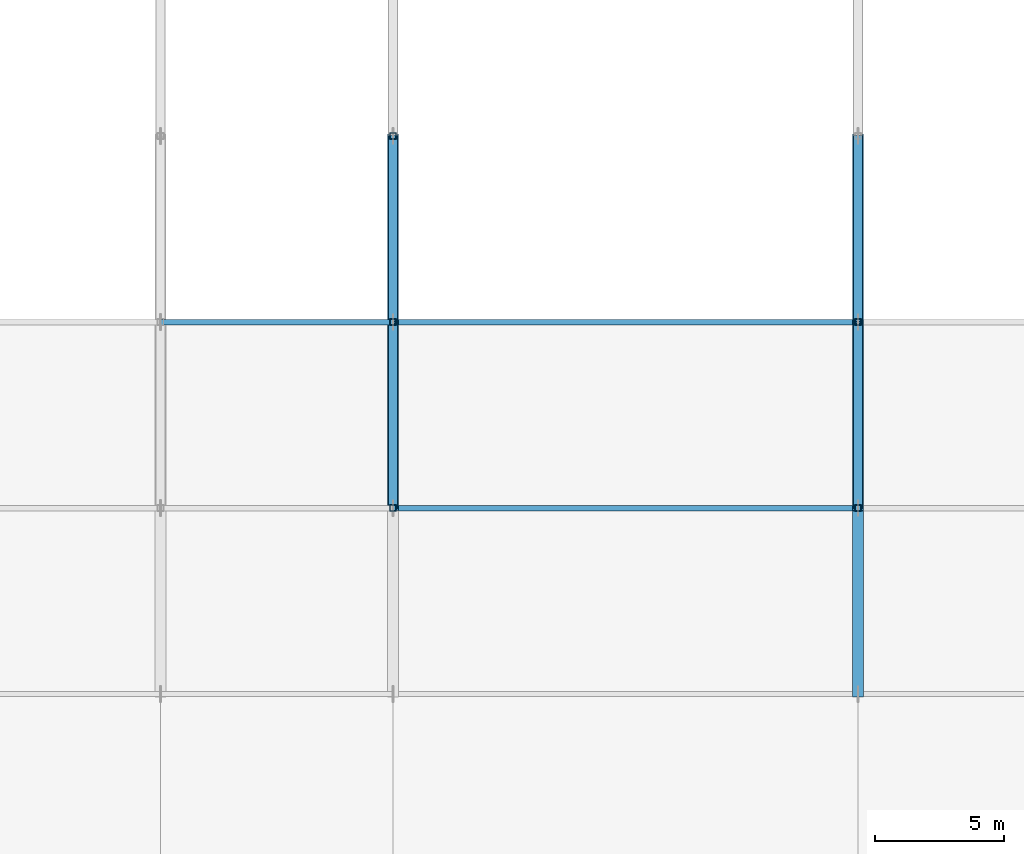
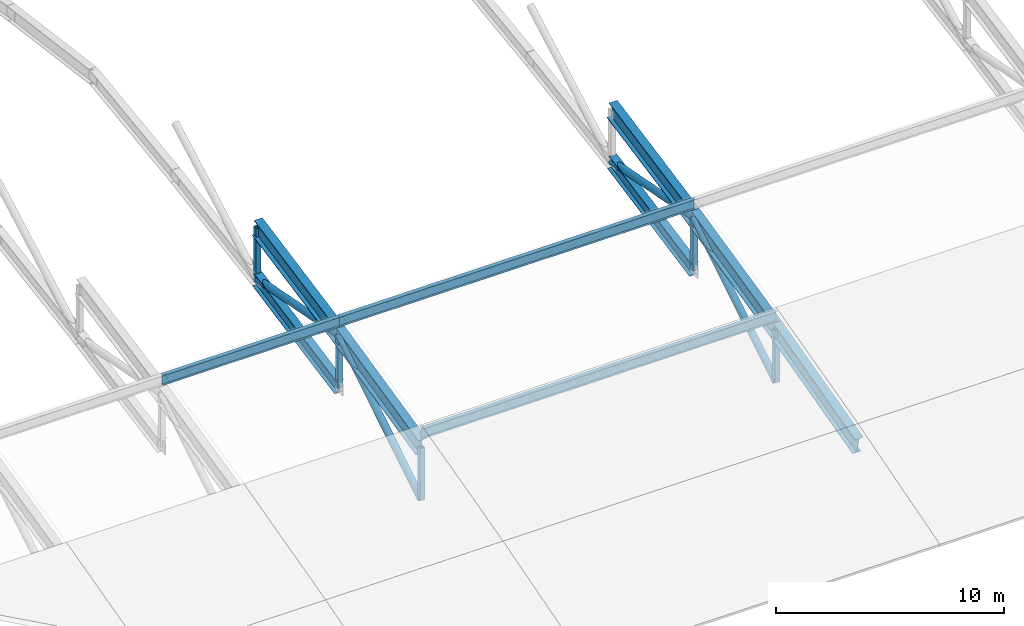
# One storey, part 19 of 124: 19 members.
"""IFC4 building model written with IfcOpenShell, lengths in metres."""

from ifc_helpers import new_model, si_unit, direction, frame, origin, origin_2d, place, context, subcontext, project, spatial, hollow_rectangle, hollow_circle, i_section, extrude, material, material_profile, profile_set, type_object, element, save


model = new_model("IFC4")

# Units and contexts
model_context = context("Model", 3, precision=1e-05, world=origin(), true_north=direction((0.0, 1.0)))
body_context = subcontext(model_context, "Body", "Model", "MODEL_VIEW")
ifc_project = project(units=[si_unit("LENGTHUNIT", "METRE"), si_unit("AREAUNIT", "SQUARE_METRE"), si_unit("VOLUMEUNIT", "CUBIC_METRE"), si_unit("PLANEANGLEUNIT", "RADIAN"), si_unit("MASSUNIT", "GRAM", prefix="KILO")], contexts=[model_context])

# Site, building, storey
site_placement = place(None, origin())
site = spatial("IfcSite", under=ifc_project, at=site_placement, CompositionType="ELEMENT")
building_placement = place(site_placement, origin())
building = spatial("IfcBuilding", under=site, at=building_placement, Name="Celestram Park Convention Centre", CompositionType="ELEMENT")
storey_placement = place(building_placement, frame((0.0, 0.0, 15.300048828125)))
storey = spatial("IfcBuildingStorey", under=building, at=storey_placement, Name="L03", CompositionType="ELEMENT", Elevation=15.300048828125)

# Members
ifc_material_1 = material(Name="Steel ASTM A500 Grade C", Category="steel")
ifc_material_profile_1 = material_profile(ifc_material_1, hollow_circle(Radius=0.177978515625, WallThickness=0.011962890625, at=origin_2d()), Name="CHS356X12")
ifc_profile_set_1 = profile_set([ifc_material_profile_1], Name="Steel ASTM A500 Grade C")
member_type_1 = type_object("IfcMemberType", Name="STR-BRC-CHS356", PredefinedType="BRACE", material=ifc_profile_set_1)
member_1_placement = place(storey_placement, frame((72.0, 36.0, -0.884765625), z_axis=(0.0, 0.850733884049, 0.525596669064), x_axis=(-1.0, 0.0, 0.0)))
element("IfcMember", 1, at=member_1_placement, inside=storey, type_object=member_type_1, Name="V1 arch web diagonal", PredefinedType="BRACE", context=body_context, shape_type="SweptSolid", body=[
    extrude(hollow_circle(Radius=0.177978515625, WallThickness=0.011962890625, at=origin_2d()), origin(), (0.0, 0.0, 1.0), 8.463134765625),
])
member_2_placement = place(storey_placement, frame((72.0, 43.199951171875, 3.5634765625), z_axis=(0.0, 0.982076449011, -0.188483018595), x_axis=(-1.0, 0.0, 0.0)))
element("IfcMember", 2, at=member_2_placement, inside=storey, type_object=member_type_1, Name="V1 arch web diagonal", PredefinedType="BRACE", context=body_context, shape_type="SweptSolid", body=[
    extrude(hollow_circle(Radius=0.177978515625, WallThickness=0.011962890625, at=origin_2d()), origin(), (0.0, 0.0, 1.0), 7.331298828125),
])
member_3_placement = place(storey_placement, frame((90.0, 36.0, -0.884765625), z_axis=(0.0, 0.850733884049, 0.525596669064), x_axis=(-1.0, 0.0, 0.0)))
element("IfcMember", 3, at=member_3_placement, inside=storey, type_object=member_type_1, Name="V1 arch web diagonal", PredefinedType="BRACE", context=body_context, shape_type="SweptSolid", body=[
    extrude(hollow_circle(Radius=0.177978515625, WallThickness=0.011962890625, at=origin_2d()), origin(), (0.0, 0.0, 1.0), 8.463134765625),
])
member_4_placement = place(storey_placement, frame((90.0, 43.199951171875, 3.5634765625), z_axis=(0.0, 0.982076449011, -0.188483018595), x_axis=(-1.0, 0.0, 0.0)))
element("IfcMember", 4, at=member_4_placement, inside=storey, type_object=member_type_1, Name="V1 arch web diagonal", PredefinedType="BRACE", context=body_context, shape_type="SweptSolid", body=[
    extrude(hollow_circle(Radius=0.177978515625, WallThickness=0.011962890625, at=origin_2d()), origin(), (0.0, 0.0, 1.0), 7.331298828125),
])
ifc_material_2 = material(Name="Steel ASTM A992 Grade 50", Category="steel")
ifc_material_profile_2 = material_profile(ifc_material_2, i_section(OverallWidth=0.381103515625, OverallDepth=0.77197265625, WebThickness=0.0166015625, FlangeThickness=0.027099609375, at=origin_2d()), Name="W30X173")
ifc_profile_set_2 = profile_set([ifc_material_profile_2], Name="Steel ASTM A992 Grade 50")
member_type_2 = type_object("IfcMemberType", Name="STR-CHD-W30X173", PredefinedType="CHORD", material=ifc_profile_set_2)
for number, where, z_axis, x_axis, name in (
    (5, (72.0, 43.199951171875, 0.763427734375), (0.0, 0.981147221646, 0.193261815827), (-1.0, 0.0, 0.0), "V1 arch bottom chord"),
    (6, (90.0, 43.199951171875, 0.763427734375), (0.0, 0.981147221646, 0.193261815827), (-1.0, 0.0, 0.0), "V1 arch bottom chord"),
):
    element("IfcMember", number, at=place(storey_placement, frame(where, z_axis=z_axis, x_axis=x_axis)), inside=storey, type_object=member_type_2, Name=name, PredefinedType="CHORD", context=body_context, shape_type="SweptSolid", body=[
        extrude(i_section(OverallWidth=0.381103515625, OverallDepth=0.77197265625, WebThickness=0.0166015625, FlangeThickness=0.027099609375, at=origin_2d()), origin(), (0.0, 0.0, 1.0), 7.33837890625),
    ])
ifc_material_profile_3 = material_profile(ifc_material_2, i_section(OverallWidth=0.4189453125, OverallDepth=0.927001953125, WebThickness=0.019287109375, FlangeThickness=0.031982421875, at=origin_2d()), Name="W36X231")
ifc_profile_set_3 = profile_set([ifc_material_profile_3], Name="Steel ASTM A992 Grade 50")
member_type_3 = type_object("IfcMemberType", Name="STR-CHD-W36X231", PredefinedType="CHORD", material=ifc_profile_set_3)
member_5_placement = place(storey_placement, frame((72.0, 36.0, 1.9150390625), z_axis=(0.0, 0.974778027662, 0.223176604482), x_axis=(-1.0, 0.0, 0.0)))
element("IfcMember", 7, at=member_5_placement, inside=storey, type_object=member_type_3, Name="V1 arch top chord", PredefinedType="CHORD", context=body_context, shape_type="SweptSolid", body=[
    extrude(i_section(OverallWidth=0.4189453125, OverallDepth=0.927001953125, WebThickness=0.019287109375, FlangeThickness=0.031982421875, at=origin_2d()), origin(), (0.0, 0.0, 1.0), 7.38623046875),
])
member_6_placement = place(storey_placement, frame((72.0, 43.199951171875, 3.5634765625), z_axis=(0.0, 0.981147221646, 0.193261815827), x_axis=(-1.0, 0.0, 0.0)))
element("IfcMember", 8, at=member_6_placement, inside=storey, type_object=member_type_3, Name="V1 arch top chord", PredefinedType="CHORD", context=body_context, shape_type="SweptSolid", body=[
    extrude(i_section(OverallWidth=0.4189453125, OverallDepth=0.927001953125, WebThickness=0.019287109375, FlangeThickness=0.031982421875, at=origin_2d()), origin(), (0.0, 0.0, 1.0), 7.33837890625),
])
member_7_placement = place(storey_placement, frame((90.0, 28.800048828125, 0.036865234375), z_axis=(0.0, 0.967619711376, 0.252412547544), x_axis=(-1.0, 0.0, 0.0)))
element("IfcMember", 9, at=member_7_placement, inside=storey, type_object=member_type_3, Name="V1 arch top chord", PredefinedType="CHORD", context=body_context, shape_type="SweptSolid", body=[
    extrude(i_section(OverallWidth=0.4189453125, OverallDepth=0.927001953125, WebThickness=0.019287109375, FlangeThickness=0.031982421875, at=origin_2d()), origin(), (0.0, 0.0, 1.0), 7.44091796875),
])
member_8_placement = place(storey_placement, frame((90.0, 36.0, 1.9150390625), z_axis=(0.0, 0.974778027662, 0.223176604482), x_axis=(-1.0, 0.0, 0.0)))
element("IfcMember", 10, at=member_8_placement, inside=storey, type_object=member_type_3, Name="V1 arch top chord", PredefinedType="CHORD", context=body_context, shape_type="SweptSolid", body=[
    extrude(i_section(OverallWidth=0.4189453125, OverallDepth=0.927001953125, WebThickness=0.019287109375, FlangeThickness=0.031982421875, at=origin_2d()), origin(), (0.0, 0.0, 1.0), 7.38623046875),
])
member_9_placement = place(storey_placement, frame((90.0, 43.199951171875, 3.5634765625), z_axis=(0.0, 0.981147221646, 0.193261815827), x_axis=(-1.0, 0.0, 0.0)))
element("IfcMember", 11, at=member_9_placement, inside=storey, type_object=member_type_3, Name="V1 arch top chord", PredefinedType="CHORD", context=body_context, shape_type="SweptSolid", body=[
    extrude(i_section(OverallWidth=0.4189453125, OverallDepth=0.927001953125, WebThickness=0.019287109375, FlangeThickness=0.031982421875, at=origin_2d()), origin(), (0.0, 0.0, 1.0), 7.33837890625),
])
ifc_material_profile_4 = material_profile(ifc_material_2, i_section(OverallWidth=0.2099609375, OverallDepth=0.532958984375, WebThickness=0.01025390625, FlangeThickness=0.015625, at=origin_2d()), Name="W21X62")
ifc_profile_set_4 = profile_set([ifc_material_profile_4], Name="Steel ASTM A992 Grade 50")
member_type_4 = type_object("IfcMemberType", Name="STR-RFT-W21X62", PredefinedType="RAFTER", material=ifc_profile_set_4)
member_10_placement = place(storey_placement, frame((63.0, 43.199951171875, 4.29345703125), z_axis=(1.0, 0.0, 0.0), x_axis=(0.0, 1.0, 0.0)))
element("IfcMember", 12, at=member_10_placement, inside=storey, type_object=member_type_4, Name="V1 roof purlin", PredefinedType="RAFTER", context=body_context, shape_type="SweptSolid", body=[
    extrude(i_section(OverallWidth=0.2099609375, OverallDepth=0.532958984375, WebThickness=0.01025390625, FlangeThickness=0.015625, at=origin_2d()), origin(), (0.0, 0.0, 1.0), 9.0),
])
for number, where, z_axis, x_axis, name in (
    (13, (72.0, 36.0, 2.645263671875), (1.0, 0.0, 0.0), (0.0, 1.0, 0.0), "V1 roof purlin"),
    (14, (72.0, 43.199951171875, 4.29345703125), (1.0, 0.0, 0.0), (0.0, 1.0, 0.0), "V1 roof purlin"),
):
    element("IfcMember", number, at=place(storey_placement, frame(where, z_axis=z_axis, x_axis=x_axis)), inside=storey, type_object=member_type_4, Name=name, PredefinedType="RAFTER", context=body_context, shape_type="SweptSolid", body=[
        extrude(i_section(OverallWidth=0.2099609375, OverallDepth=0.532958984375, WebThickness=0.01025390625, FlangeThickness=0.015625, at=origin_2d()), origin(), (0.0, 0.0, 1.0), 18.0),
    ])
ifc_material_profile_5 = material_profile(ifc_material_1, hollow_rectangle(XDim=0.25, YDim=0.25, WallThickness=0.011962890625, at=origin_2d()), Name="HSS250X250X12")
ifc_profile_set_5 = profile_set([ifc_material_profile_5], Name="Steel ASTM A500 Grade C")
member_type_5 = type_object("IfcMemberType", Name="STR-STR-HSS250", PredefinedType="STRUT", material=ifc_profile_set_5)
member_11_placement = place(storey_placement, frame((72.0, 36.0, -0.884765625), z_axis=(0.0, 0.0, 1.0), x_axis=(1.0, 0.0, 0.0)))
element("IfcMember", 15, at=member_11_placement, inside=storey, type_object=member_type_5, Name="V1 arch vertical strut", PredefinedType="STRUT", context=body_context, shape_type="SweptSolid", body=[
    extrude(hollow_rectangle(XDim=0.25, YDim=0.25, WallThickness=0.011962890625, at=origin_2d()), origin(), (0.0, 0.0, 1.0), 2.7998046875),
])
for number, where, z_axis, x_axis, name in (
    (16, (72.0, 43.199951171875, 0.763427734375), (0.0, 0.0, 1.0), (1.0, 0.0, 0.0), "V1 arch vertical strut"),
    (17, (72.0, 50.39990234375, 2.181640625), (0.0, 0.0, 1.0), (1.0, 0.0, 0.0), "V1 arch vertical strut"),
):
    element("IfcMember", number, at=place(storey_placement, frame(where, z_axis=z_axis, x_axis=x_axis)), inside=storey, type_object=member_type_5, Name=name, PredefinedType="STRUT", context=body_context, shape_type="SweptSolid", body=[
        extrude(hollow_rectangle(XDim=0.25, YDim=0.25, WallThickness=0.011962890625, at=origin_2d()), origin(), (0.0, 0.0, 1.0), 2.800048828125),
    ])
member_12_placement = place(storey_placement, frame((90.0, 36.0, -0.884765625), z_axis=(0.0, 0.0, 1.0), x_axis=(1.0, 0.0, 0.0)))
element("IfcMember", 18, at=member_12_placement, inside=storey, type_object=member_type_5, Name="V1 arch vertical strut", PredefinedType="STRUT", context=body_context, shape_type="SweptSolid", body=[
    extrude(hollow_rectangle(XDim=0.25, YDim=0.25, WallThickness=0.011962890625, at=origin_2d()), origin(), (0.0, 0.0, 1.0), 2.7998046875),
])
member_13_placement = place(storey_placement, frame((90.0, 43.199951171875, 0.763427734375), z_axis=(0.0, 0.0, 1.0), x_axis=(1.0, 0.0, 0.0)))
element("IfcMember", 19, at=member_13_placement, inside=storey, type_object=member_type_5, Name="V1 arch vertical strut", PredefinedType="STRUT", context=body_context, shape_type="SweptSolid", body=[
    extrude(hollow_rectangle(XDim=0.25, YDim=0.25, WallThickness=0.011962890625, at=origin_2d()), origin(), (0.0, 0.0, 1.0), 2.800048828125),
])

save(model, "model.ifc")
